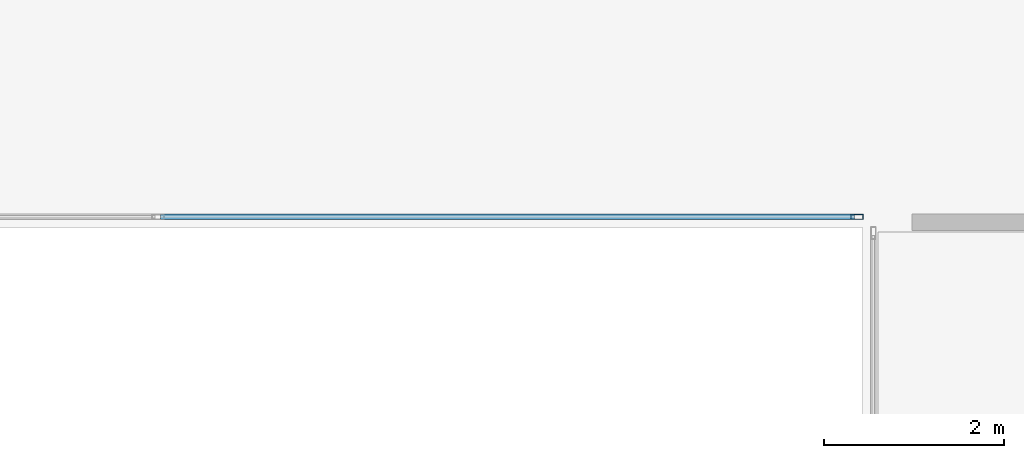
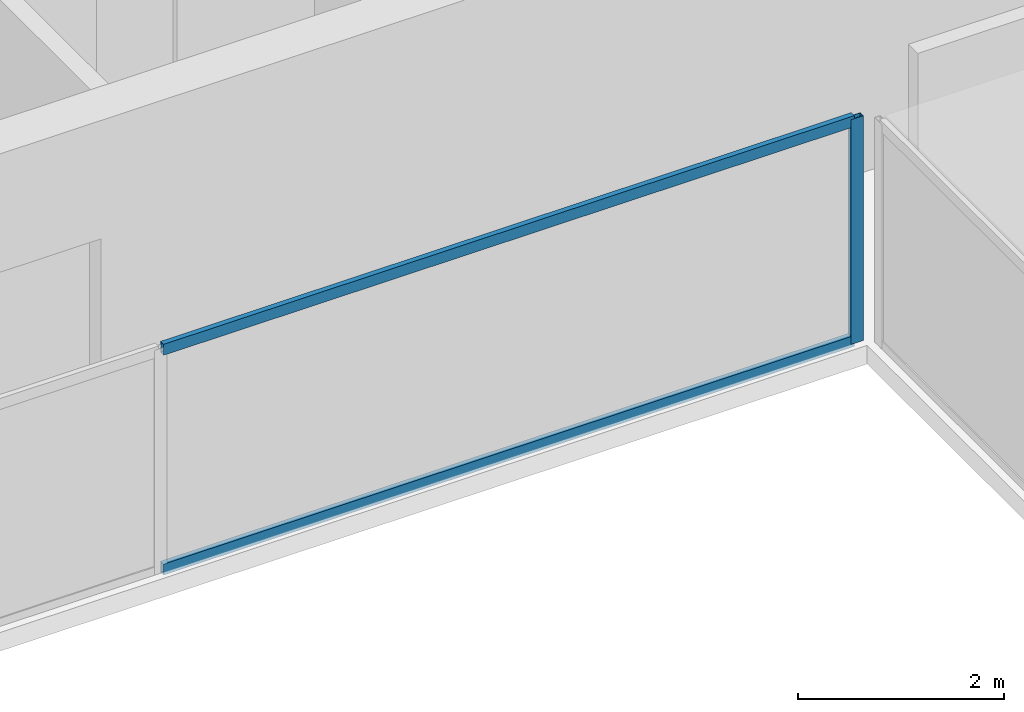
# One storey, part 13 of 32: 3 members, 1 element without a shape of its own.
"""IFC4 building model written with IfcOpenShell, lengths in metres."""

from ifc_helpers import new_model, si_unit, direction, frame, origin, origin_2d, place, context, subcontext, project, spatial, hollow_rectangle, extrude, source, transform, mapped, material, layer, layer_set, material_profile, profile_set, type_object, element, aggregate, save


model = new_model("IFC4")

# Units and contexts
model_context = context("Model", 3, precision=1e-05, world=origin(), true_north=direction((0.0, 1.0)))
body_context = subcontext(model_context, "Body", "Model", "MODEL_VIEW")
ifc_project = project(units=[si_unit("LENGTHUNIT", "METRE"), si_unit("AREAUNIT", "SQUARE_METRE"), si_unit("VOLUMEUNIT", "CUBIC_METRE"), si_unit("PLANEANGLEUNIT", "RADIAN"), si_unit("MASSUNIT", "GRAM", prefix="KILO")], contexts=[model_context])

# Site, building, storey
site_placement = place(None, origin())
site = spatial("IfcSite", under=ifc_project, at=site_placement, CompositionType="ELEMENT")
building_placement = place(site_placement, origin())
building = spatial("IfcBuilding", under=site, at=building_placement, Name="Sumidabori Civic Tower", CompositionType="ELEMENT")
storey_placement = place(building_placement, frame((0.0, 0.0, 225.199951171875)))
storey = spatial("IfcBuildingStorey", under=building, at=storey_placement, Name="L58", CompositionType="ELEMENT", Elevation=225.199951171875)

# Curtain wall, members
ifc_material = material(Name="Anodised Bronze Aluminium AW-6063-T6", Category="aluminium")
ifc_layer = layer(ifc_material, 0.179931640625, Name="Anodised Bronze Aluminium AW-6063-T6")
ifc_layer_set = layer_set([ifc_layer], Name="Anodised Bronze Aluminium AW-6063-T6")
curtain_wall_type = type_object("IfcCurtainWallType", Name="CW-SYS-4", PredefinedType="NOTDEFINED", material=ifc_layer_set)
curtain_wall_placement = place(storey_placement, origin())
curtain_wall = element("IfcCurtainWall", 1, at=curtain_wall_placement, inside=storey, type_object=curtain_wall_type, Name="Curtain Wall CW:L58:R05", PredefinedType="NOTDEFINED")
ifc_material_profile_1 = material_profile(ifc_material, hollow_rectangle(XDim=0.06005859375, YDim=0.1298828125, WallThickness=0.0048828125, at=origin_2d()), Name="ALU TRANSOM 130x60")
ifc_profile_set_1 = profile_set([ifc_material_profile_1], Name="Anodised Bronze Aluminium AW-6063-T6")
member_type_1 = type_object("IfcMemberType", Name="CW-TRN-130", PredefinedType="USERDEFINED", material=ifc_profile_set_1)
shared_shape_1 = source(origin(), body_context, "Body", "SweptSolid", [
    extrude(hollow_rectangle(XDim=0.06005859375, YDim=0.1298828125, WallThickness=0.0048828125, at=origin_2d()), origin(), (0.0, 0.0, 1.0), 7.72998046875),
])
member_1_placement = place(storey_placement, frame((0.030029296875, 7.52001953125, 0.030029296875), z_axis=(1.0, 0.0, 0.0), x_axis=(0.0, 1.0, 0.0)))
member_1 = element("IfcMember", 2, at=member_1_placement, type_object=member_type_1, Name="CW-4 transom 2.1", ObjectType="TRANSOM", PredefinedType="USERDEFINED", context=body_context, shape_type="MappedRepresentation", body=[
    mapped(shared_shape_1, transform((0.0, 0.0, 0.0), x_axis=(1.0, 0.0, 0.0), y_axis=(0.0, 1.0, 0.0), z_axis=(0.0, 0.0, 1.0), scale=1.0)),
])
member_2_placement = place(storey_placement, frame((0.030029296875, 7.52001953125, 2.630126953125), z_axis=(1.0, 0.0, 0.0), x_axis=(0.0, 1.0, 0.0)))
member_2 = element("IfcMember", 3, at=member_2_placement, type_object=member_type_1, Name="CW-4 transom 2.2", ObjectType="TRANSOM", PredefinedType="USERDEFINED", context=body_context, shape_type="MappedRepresentation", body=[
    mapped(shared_shape_1, transform((0.0, 0.0, 0.0), x_axis=(1.0, 0.0, 0.0), y_axis=(0.0, 1.0, 0.0), z_axis=(0.0, 0.0, 1.0), scale=1.0)),
])
ifc_material_profile_2 = material_profile(ifc_material, hollow_rectangle(XDim=0.06005859375, YDim=0.139892578125, WallThickness=0.0048828125, at=origin_2d()), Name="ALU MULLION 140x60")
ifc_profile_set_2 = profile_set([ifc_material_profile_2], Name="Anodised Bronze Aluminium AW-6063-T6")
member_type_2 = type_object("IfcMemberType", Name="CW-MUL-140", PredefinedType="MULLION", material=ifc_profile_set_2)
shared_shape_2 = source(origin(), body_context, "Body", "SweptSolid", [
    extrude(hollow_rectangle(XDim=0.06005859375, YDim=0.139892578125, WallThickness=0.0048828125, at=origin_2d()), origin(), (0.0, 0.0, 1.0), 2.66015625),
])
member_3_placement = place(storey_placement, frame((7.7900390625, 7.52001953125, 0.0), z_axis=(0.0, 0.0, 1.0), x_axis=(0.0, 1.0, 0.0)))
member_3 = element("IfcMember", 4, at=member_3_placement, type_object=member_type_2, Name="CW-4 mullion 3", PredefinedType="MULLION", context=body_context, shape_type="MappedRepresentation", body=[
    mapped(shared_shape_2, transform((0.0, 0.0, 0.0), x_axis=(1.0, 0.0, 0.0), y_axis=(0.0, 1.0, 0.0), z_axis=(0.0, 0.0, 1.0), scale=1.0)),
])
aggregate(curtain_wall, [member_3, member_1, member_2])

save(model, "model.ifc")
